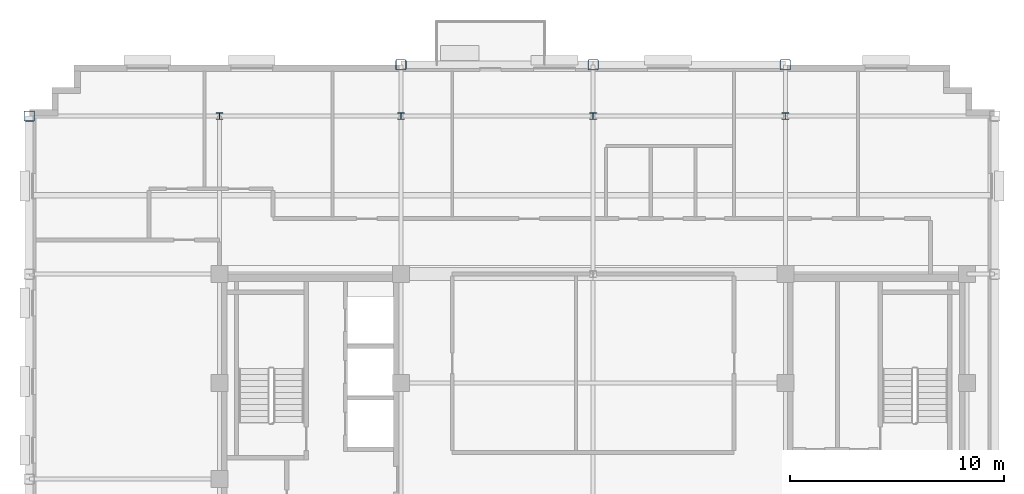
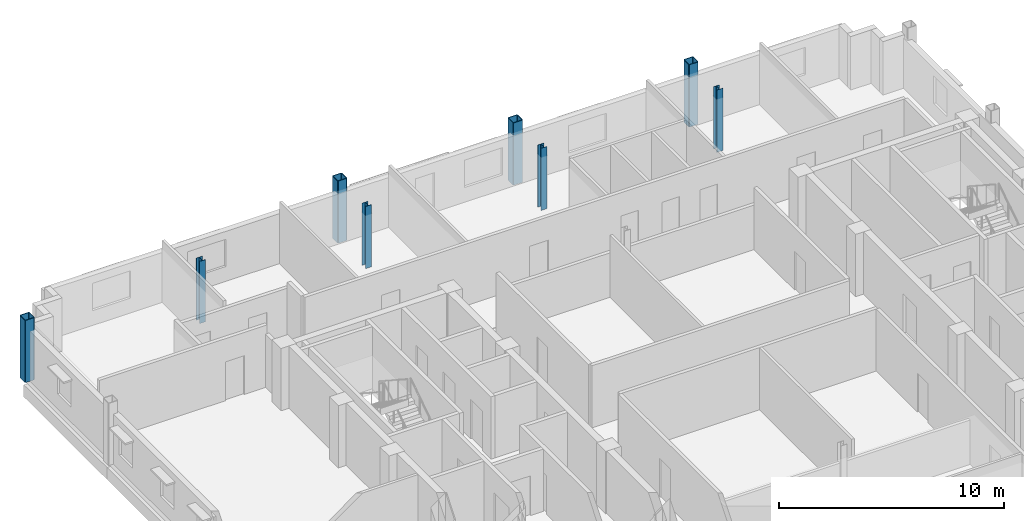
# One storey, part 3 of 13: 8 columns.
"""IFC4 building model written with IfcOpenShell, lengths in metres."""

import ifcopenshell
import ifcopenshell.guid

model = None  # the IFC model being written
_history = None  # IfcOwnerHistory: only IFC2X3 demands one
_inside = {}  # id of a spatial element -> (the spatial element, [elements in it])
_under = {}  # id of a project, library or spatial element -> (it, [spatial elements below it])
_declared = {}  # id of a project -> (the project, [libraries it declares])
_typed = {}  # id of a type object -> (the type object, [elements of that type])
_made_of = {}  # id of a material, layer set ... -> (it, [elements and type objects made of it])


def new_model(schema):
    """Start an empty IFC model of exactly this schema.

    Asked for "IFC4X3", IfcOpenShell would pick the latest addendum, in which some entities
    have other attributes; the version numbers below select the first issue.
    IFC2X3 requires an IfcOwnerHistory on every rooted entity: one is made here for all.
    """
    global model, _history
    if schema == "IFC4X3":
        model = ifcopenshell.file(schema_version=(4, 3, 0, 0))
    else:
        model = ifcopenshell.file(schema=schema)
    _inside.clear()
    _under.clear()
    _declared.clear()
    _typed.clear()
    _made_of.clear()
    _history = None
    if model.schema == "IFC2X3":
        org = make("IfcOrganization", Name="unknown")
        user = make(
            "IfcPersonAndOrganization",
            ThePerson=make("IfcPerson", FamilyName="unknown"),
            TheOrganization=org,
        )
        app = make(
            "IfcApplication",
            ApplicationDeveloper=org,
            Version="unknown",
            ApplicationFullName="unknown",
            ApplicationIdentifier="unknown",
        )
        _history = make(
            "IfcOwnerHistory",
            OwningUser=user,
            OwningApplication=app,
            ChangeAction="ADDED",
            CreationDate=0,
        )
    return model


def make(cls, **values):
    """One entity of the class cls with the attributes given. An attribute that is None is left unset."""
    return model.create_entity(
        cls, **{name: value for name, value in values.items() if value is not None}
    )


def rooted(cls, **values):
    """An entity with a GlobalId (a new one), such as an element, a storey or a relation."""
    return make(cls, GlobalId=ifcopenshell.guid.new(), OwnerHistory=_history, **values)


def si_unit(unit_type, name, prefix=None):
    """IfcSIUnit, for example si_unit("LENGTHUNIT", "METRE", prefix="MILLI")."""
    return make("IfcSIUnit", UnitType=unit_type, Prefix=prefix, Name=name)


def assignment(units):
    """IfcUnitAssignment: the units of a project."""
    return None if units is None else make("IfcUnitAssignment", Units=units)


def point(xyz):
    """IfcCartesianPoint."""
    return None if xyz is None else make("IfcCartesianPoint", Coordinates=xyz)


def direction(xyz):
    """IfcDirection."""
    return None if xyz is None else make("IfcDirection", DirectionRatios=xyz)


def frame(location, z_axis=None, x_axis=None):
    """IfcAxis2Placement3D, a coordinate frame: its origin and axes. An axis left out is left unset."""
    return make(
        "IfcAxis2Placement3D",
        Location=point(location),
        Axis=direction(z_axis),
        RefDirection=direction(x_axis),
    )


def frame_2d(location, x_axis=None):
    """IfcAxis2Placement2D, a coordinate frame in the plane: its origin and x axis."""
    return make(
        "IfcAxis2Placement2D", Location=point(location), RefDirection=direction(x_axis)
    )


def origin():
    """The frame at (0, 0, 0) with its axes left unset."""
    return frame((0.0, 0.0, 0.0))


def origin_2d():
    """The frame at (0, 0) in the plane with its x axis left unset."""
    return frame_2d((0.0, 0.0))


def place(relative_to, where):
    """IfcLocalPlacement: puts the frame where relative to a parent placement (None: the world)."""
    return make(
        "IfcLocalPlacement", PlacementRelTo=relative_to, RelativePlacement=where
    )


def context(
    kind, dimensions, precision=None, world=None, true_north=None, identifier=None
):
    """IfcGeometricRepresentationContext, for example the 3D "Model" context."""
    return make(
        "IfcGeometricRepresentationContext",
        ContextIdentifier=identifier,
        ContextType=kind,
        CoordinateSpaceDimension=dimensions,
        Precision=precision,
        WorldCoordinateSystem=world,
        TrueNorth=true_north,
    )


def subcontext(parent, identifier, kind, view, scale=None):
    """IfcGeometricRepresentationSubContext, for example "Body" below "Model"."""
    return make(
        "IfcGeometricRepresentationSubContext",
        ContextIdentifier=identifier,
        ContextType=kind,
        ParentContext=parent,
        TargetScale=scale,
        TargetView=view,
    )


def project(units=None, contexts=None):
    """IfcProject with its units and contexts."""
    return rooted(
        "IfcProject",
        Name="project",
        RepresentationContexts=contexts,
        UnitsInContext=assignment(units),
    )


def spatial(cls, under=None, at=None, **own):
    """A site, building, storey or space (cls), placed at a placement, below another one or the project."""
    s = rooted(cls, ObjectPlacement=at, **own)
    if under is not None:
        _under.setdefault(under.id(), (under, []))[1].append(s)
    return s


def profile(cls, at=None, kind="AREA", **sizes):
    """A parametric profile (cls). Its sizes go by their IFC names, for example OverallWidth=200.0."""
    return make(cls, ProfileType=kind, Position=at, **sizes)


def hollow_rectangle(**sizes):
    """IfcRectangleHollowProfileDef."""
    return profile("IfcRectangleHollowProfileDef", **sizes)


def i_section(**sizes):
    """IfcIShapeProfileDef."""
    return profile("IfcIShapeProfileDef", **sizes)


def extrude(swept, where, along, depth):
    """IfcExtrudedAreaSolid: the profile swept, set in the frame where, extruded along a direction by depth."""
    return make(
        "IfcExtrudedAreaSolid",
        SweptArea=swept,
        Position=where,
        ExtrudedDirection=direction(along),
        Depth=depth,
    )


def shape(context_of_items, identifier, shape_type, items):
    """IfcShapeRepresentation: the items that make up one representation, for example the "Body"."""
    return make(
        "IfcShapeRepresentation",
        ContextOfItems=context_of_items,
        RepresentationIdentifier=identifier,
        RepresentationType=shape_type,
        Items=items,
    )


def material(Name=None, Category=None):
    """IfcMaterial."""
    return make("IfcMaterial", Name=Name, Category=Category)


def material_profile(
    of_material, cross_section, Name=None, Category=None, Priority=None
):
    """IfcMaterialProfile: a cross section and its material."""
    return make(
        "IfcMaterialProfile",
        Name=Name,
        Material=of_material,
        Profile=cross_section,
        Priority=Priority,
        Category=Category,
    )


def profile_set(profiles, Name=None, composite=None):
    """IfcMaterialProfileSet."""
    return make(
        "IfcMaterialProfileSet",
        Name=Name,
        MaterialProfiles=profiles,
        CompositeProfile=composite,
    )


def made_of(thing, what):
    """Note that an element or type object is made of a material, layer set ...; save() writes the relation."""
    if what is not None:
        _made_of.setdefault(what.id(), (what, []))[1].append(thing)
    return thing


def type_object(cls, material=None, **own):
    """A type object (cls), such as IfcWallType, which elements share."""
    return made_of(rooted(cls, **own), material)


def element(
    cls,
    number,
    at=None,
    inside=None,
    cuts=None,
    type_object=None,
    material=None,
    context=None,
    identifier="Body",
    shape_type=None,
    held_by="IfcProductDefinitionShape",
    body=None,
    shapes=None,
    **own,
):
    """One element of the class cls, such as IfcWall. Its Tag is "e" and its number.

    at: its placement. inside: the storey or other place that contains it. cuts: it is an
    opening in that element (IfcRelVoidsElement). A single representation is given by context,
    identifier, shape_type and body (its items); several are given by shapes. held_by: the class
    of the entity that holds the representations. save() writes the other relations.
    """
    e = rooted(cls, Tag="e%d" % number, ObjectPlacement=at, **own)
    if body is not None:
        shapes = [shape(context, identifier, shape_type, body)]
    if shapes is not None:
        e.Representation = make(held_by, Representations=shapes)
    if inside is not None:
        _inside.setdefault(inside.id(), (inside, []))[1].append(e)
    if cuts is not None:
        rooted(
            "IfcRelVoidsElement", RelatingBuildingElement=cuts, RelatedOpeningElement=e
        )
    if type_object is not None:
        _typed.setdefault(type_object.id(), (type_object, []))[1].append(e)
    return made_of(e, material)


def aggregate(whole, parts):
    """IfcRelAggregates: a whole, such as a stair, and the parts it consists of."""
    return rooted("IfcRelAggregates", RelatingObject=whole, RelatedObjects=parts)


def save(model, path):
    """Write the relations noted so far, then the file.

    IfcRelAggregates (storeys below a building ...), IfcRelContainedInSpatialStructure (elements
    in a storey), IfcRelDefinesByType, IfcRelAssociatesMaterial and IfcRelDeclares: one each for
    every whole, place, type object, material and project.
    """
    for whole, parts in _under.values():
        aggregate(whole, parts)
    for where, things in _inside.values():
        rooted(
            "IfcRelContainedInSpatialStructure",
            RelatedElements=things,
            RelatingStructure=where,
        )
    for kind, things in _typed.values():
        rooted("IfcRelDefinesByType", RelatedObjects=things, RelatingType=kind)
    for what, things in _made_of.values():
        rooted("IfcRelAssociatesMaterial", RelatedObjects=things, RelatingMaterial=what)
    for by, libraries in _declared.values():
        rooted("IfcRelDeclares", RelatingContext=by, RelatedDefinitions=libraries)
    model.write(path)


model = new_model("IFC4")

# Units and contexts
model_context = context("Model", 3, precision=1e-05, world=origin(), true_north=direction((0.0, 1.0)))
body_context = subcontext(model_context, "Body", "Model", "MODEL_VIEW")
ifc_project = project(units=[si_unit("LENGTHUNIT", "METRE"), si_unit("AREAUNIT", "SQUARE_METRE"), si_unit("VOLUMEUNIT", "CUBIC_METRE"), si_unit("PLANEANGLEUNIT", "RADIAN"), si_unit("MASSUNIT", "GRAM", prefix="KILO")], contexts=[model_context])

# Site, building, storey
site_placement = place(None, origin())
site = spatial("IfcSite", under=ifc_project, at=site_placement, CompositionType="ELEMENT")
building_placement = place(site_placement, origin())
building = spatial("IfcBuilding", under=site, at=building_placement, Name="Nuvemarco Arch Tower", CompositionType="ELEMENT")
storey_placement = place(building_placement, frame((0.0, 0.0, 231.050048828125)))
storey = spatial("IfcBuildingStorey", under=building, at=storey_placement, Name="L61", CompositionType="ELEMENT", Elevation=231.050048828125)

# Columns
ifc_material = material(Name="Steel S355", Category="steel")
ifc_material_profile_1 = material_profile(ifc_material, hollow_rectangle(XDim=0.5, YDim=0.5, WallThickness=0.031982421875, InnerFilletRadius=0.031982421875, OuterFilletRadius=0.06396484375, at=origin_2d()), Name="SHS500x500x32")
ifc_profile_set_1 = profile_set([ifc_material_profile_1], Name="Steel S355")
column_type_1 = type_object("IfcColumnType", Name="COL-EXO-500", PredefinedType="COLUMN", material=ifc_profile_set_1)
for number, where, z_axis, x_axis, name in (
    (1, (-26.39990234375, 17.0, 0.0), (0.0, 0.0, 1.0), (1.0, 0.0, 0.0), "L61 column CX_-26.4_+17.0"),
    (2, (-9.0, 19.39990234375, 0.0), (0.0, 0.0, 1.0), (1.0, 0.0, 0.0), "L61 column CY_-9.0_+19.4"),
    (3, (0.0, 19.39990234375, 0.0), (0.0, 0.0, 1.0), (1.0, 0.0, 0.0), "L61 column CY_+0.0_+19.4"),
    (4, (9.0, 19.39990234375, 0.0), (0.0, 0.0, 1.0), (1.0, 0.0, 0.0), "L61 column CY_+9.0_+19.4"),
):
    element("IfcColumn", number, at=place(storey_placement, frame(where, z_axis=z_axis, x_axis=x_axis)), inside=storey, type_object=column_type_1, Name=name, PredefinedType="COLUMN", context=body_context, shape_type="SweptSolid", body=[
        extrude(hollow_rectangle(XDim=0.5, YDim=0.5, WallThickness=0.031982421875, InnerFilletRadius=0.031982421875, OuterFilletRadius=0.06396484375, at=origin_2d()), origin(), (0.0, 0.0, 1.0), 3.369873046875),
    ])
ifc_material_profile_2 = material_profile(ifc_material, i_section(OverallWidth=0.31005859375, OverallDepth=0.31005859375, WebThickness=0.015380859375, FlangeThickness=0.015380859375, FilletRadius=0.014892578125, at=origin_2d()), Name="HP310x110")
ifc_profile_set_2 = profile_set([ifc_material_profile_2], Name="Steel S355")
column_type_2 = type_object("IfcColumnType", Name="COL-STL-HP310", PredefinedType="COLUMN", material=ifc_profile_set_2)
for number, where, z_axis, x_axis, name in (
    (5, (0.0, 17.0, 0.0), (0.0, 0.0, 1.0), (1.0, 0.0, 0.0), "L61 column CI_+0.0_+17.0"),
    (6, (-17.5, 17.0, 0.0), (0.0, 0.0, 1.0), (1.0, 0.0, 0.0), "L61 column CI_-17.5_+17.0"),
    (7, (-9.0, 17.0, 0.0), (0.0, 0.0, 1.0), (1.0, 0.0, 0.0), "L61 column CI_-9.0_+17.0"),
    (8, (9.0, 17.0, 0.0), (0.0, 0.0, 1.0), (1.0, 0.0, 0.0), "L61 column CI_+9.0_+17.0"),
):
    element("IfcColumn", number, at=place(storey_placement, frame(where, z_axis=z_axis, x_axis=x_axis)), inside=storey, type_object=column_type_2, Name=name, PredefinedType="COLUMN", context=body_context, shape_type="SweptSolid", body=[
        extrude(i_section(OverallWidth=0.31005859375, OverallDepth=0.31005859375, WebThickness=0.015380859375, FlangeThickness=0.015380859375, FilletRadius=0.014892578125, at=origin_2d()), origin(), (0.0, 0.0, 1.0), 3.369873046875),
    ])

save(model, "model.ifc")
